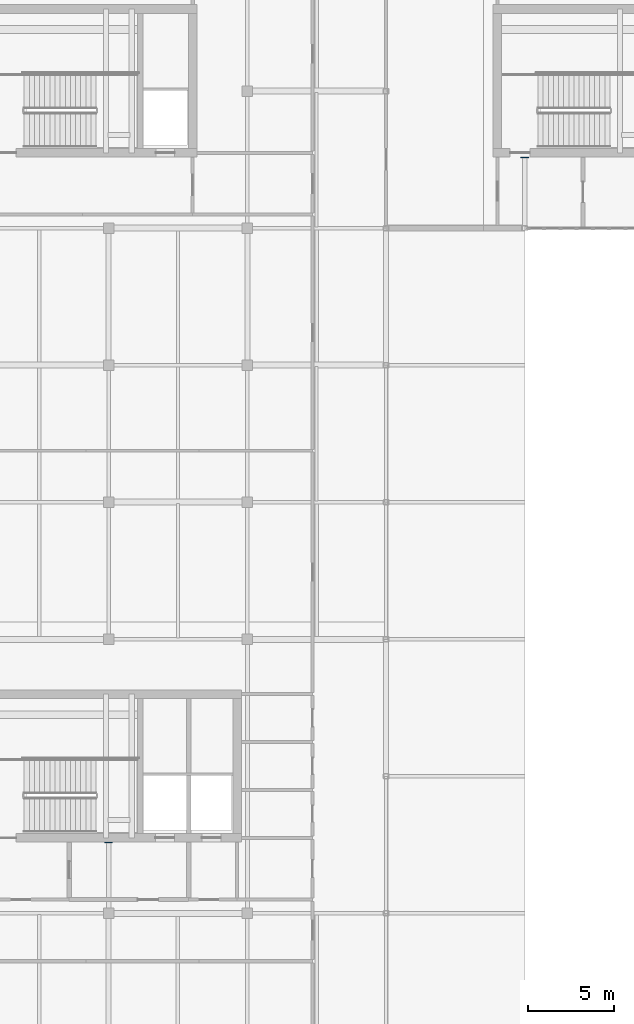
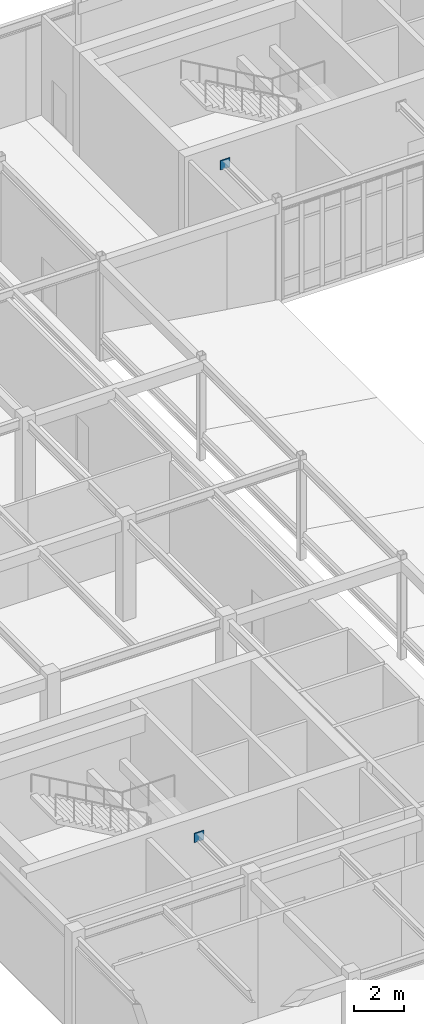
# One storey, part 57 of 70: 2 plates.
"""IFC4 building model written with IfcOpenShell, lengths in metres."""

from ifc_helpers import new_model, si_unit, direction, frame, origin, origin_2d, place, context, subcontext, project, spatial, rectangle, extrude, material, layer, layer_set, type_object, element, save


model = new_model("IFC4")

# Units and contexts
model_context = context("Model", 3, precision=1e-05, world=origin(), true_north=direction((0.0, 1.0)))
body_context = subcontext(model_context, "Body", "Model", "MODEL_VIEW")
ifc_project = project(units=[si_unit("LENGTHUNIT", "METRE"), si_unit("AREAUNIT", "SQUARE_METRE"), si_unit("VOLUMEUNIT", "CUBIC_METRE"), si_unit("PLANEANGLEUNIT", "RADIAN"), si_unit("MASSUNIT", "GRAM", prefix="KILO")], contexts=[model_context])

# Site, building, storey
site_placement = place(None, origin())
site = spatial("IfcSite", under=ifc_project, at=site_placement, CompositionType="ELEMENT")
building_placement = place(site_placement, origin())
building = spatial("IfcBuilding", under=site, at=building_placement, Name="Tarnveldt Square Police Headquarters", CompositionType="ELEMENT")
storey_placement = place(building_placement, frame((0.0, 0.0, 19.800048828125)))
storey = spatial("IfcBuildingStorey", under=building, at=storey_placement, Name="L04", CompositionType="ELEMENT", Elevation=19.800048828125)

# Plates
ifc_material = material(Name="Steel 350W", Category="steel")
ifc_layer = layer(ifc_material, 0.0380859375)
ifc_layer_set = layer_set([ifc_layer], Name="Steel 350W")
plate_type = type_object("IfcPlateType", Name="PLT-END-38", PredefinedType="SHEET", material=ifc_layer_set)
for number, where, z_axis, x_axis, name in (
    (1, (24.300048828125, 60.131103515625, 3.9248046875), (0.0, 0.0, 1.0), (1.0, 0.0, 0.0), "Core K1 Shear Wall CW2 Bolted Truss Anchor End Plate EP1 L04.1"),
    (2, (48.60009765625, 100.131103515625, 3.9248046875), (0.0, 0.0, 1.0), (1.0, 0.0, 0.0), "Core K3 Shear Wall CW2 Bolted Truss Anchor End Plate EP1 L04.2"),
):
    element("IfcPlate", number, at=place(storey_placement, frame(where, z_axis=z_axis, x_axis=x_axis)), inside=storey, type_object=plate_type, Name=name, PredefinedType="SHEET", context=body_context, shape_type="SweptSolid", body=[
        extrude(rectangle(XDim=0.449951171875, YDim=0.0380859375, at=origin_2d()), origin(), (0.0, 0.0, 1.0), 0.449951171875),
    ])

save(model, "model.ifc")
